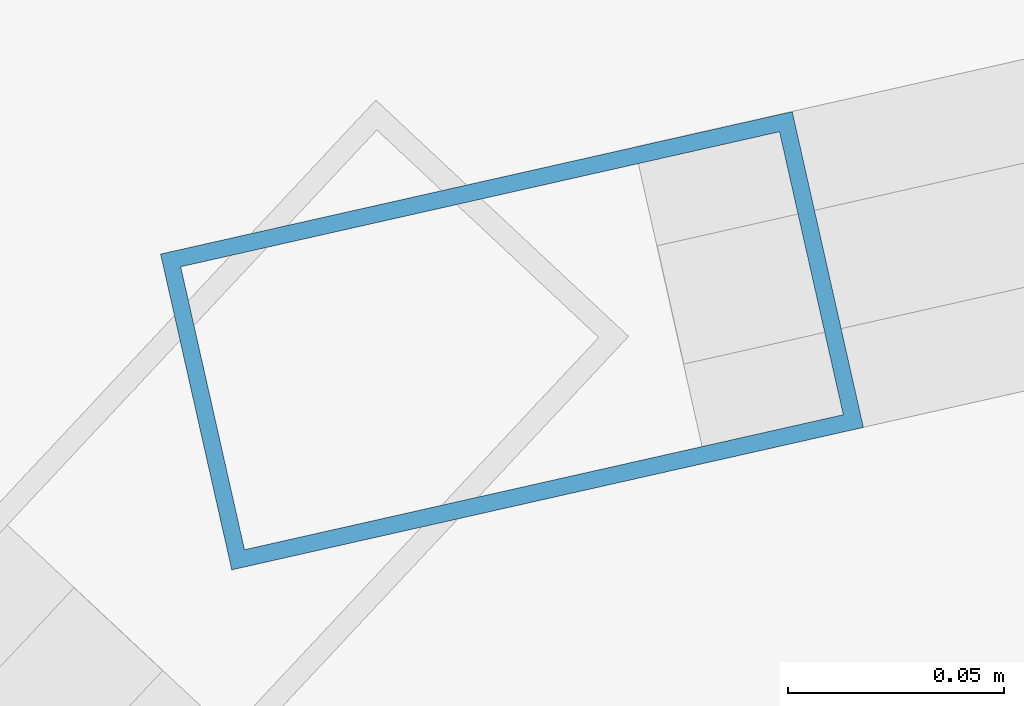
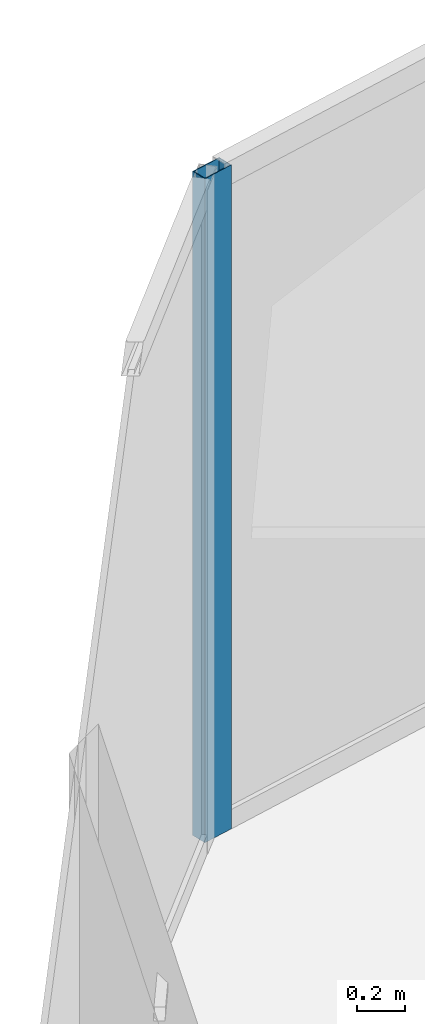
# One storey, part 17 of 33: 1 member, 1 element without a shape of its own.
"""IFC4 building model written with IfcOpenShell, lengths in metres."""

from ifc_helpers import new_model, si_unit, direction, frame, origin, origin_2d, place, context, subcontext, project, spatial, hollow_rectangle, extrude, material, layer, layer_set, material_profile, profile_set, type_object, element, aggregate, save


model = new_model("IFC4")

# Units and contexts
model_context = context("Model", 3, precision=1e-05, world=origin(), true_north=direction((0.0, 1.0)))
body_context = subcontext(model_context, "Body", "Model", "MODEL_VIEW")
ifc_project = project(units=[si_unit("LENGTHUNIT", "METRE"), si_unit("AREAUNIT", "SQUARE_METRE"), si_unit("VOLUMEUNIT", "CUBIC_METRE"), si_unit("PLANEANGLEUNIT", "RADIAN"), si_unit("MASSUNIT", "GRAM", prefix="KILO")], contexts=[model_context])

# Site, building, storey
site_placement = place(None, origin())
site = spatial("IfcSite", under=ifc_project, at=site_placement, CompositionType="ELEMENT")
building_placement = place(site_placement, origin())
building = spatial("IfcBuilding", under=site, at=building_placement, Name="Kazevale Care Tower and Concert Hall", CompositionType="ELEMENT")
storey_placement = place(building_placement, frame((0.0, 0.0, 31.199951171875)))
storey = spatial("IfcBuildingStorey", under=building, at=storey_placement, Name="L07", CompositionType="ELEMENT", Elevation=31.199951171875)

# Curtain wall, member
ifc_material_1 = material(Name="Aluminium 6063-T6 and Low-E Glass", Category="aluminium")
ifc_layer = layer(ifc_material_1, 0.179931640625)
ifc_layer_set = layer_set([ifc_layer], Name="Aluminium 6063-T6 and Low-E Glass")
curtain_wall_type = type_object("IfcCurtainWallType", Name="Convex Recessed Sunroom Curtain Wall CW-3", PredefinedType="NOTDEFINED", material=ifc_layer_set)
curtain_wall_placement = place(storey_placement, origin())
curtain_wall = element("IfcCurtainWall", 1, at=curtain_wall_placement, inside=storey, type_object=curtain_wall_type, Name="cw:L07:f15", PredefinedType="NOTDEFINED")
ifc_material_2 = material(Name="Aluminium 6063-T6", Category="aluminium")
ifc_material_profile = material_profile(ifc_material_2, hollow_rectangle(XDim=0.074951171875, YDim=0.14990234375, WallThickness=0.00390625, at=origin_2d()), Name="ALU75x150x4")
ifc_profile_set = profile_set([ifc_material_profile], Name="Aluminium 6063-T6")
member_type = type_object("IfcMemberType", Name="CW-3 Mullion ALU75x150x4", PredefinedType="MULLION", material=ifc_profile_set)
member_placement = place(storey_placement, frame((25.073486328125, 62.88525390625, 0.0), z_axis=(0.0, 0.0, 1.0), x_axis=(-0.219910670667, 0.975520013596, 0.0)))
member = element("IfcMember", 2, at=member_placement, type_object=member_type, Name="CW-3 mullion 1", PredefinedType="MULLION", context=body_context, shape_type="SweptSolid", body=[
    extrude(hollow_rectangle(XDim=0.074951171875, YDim=0.14990234375, WallThickness=0.00390625, at=origin_2d()), origin(), (0.0, 0.0, 1.0), 3.360107421875),
])
aggregate(curtain_wall, [member])

save(model, "model.ifc")
